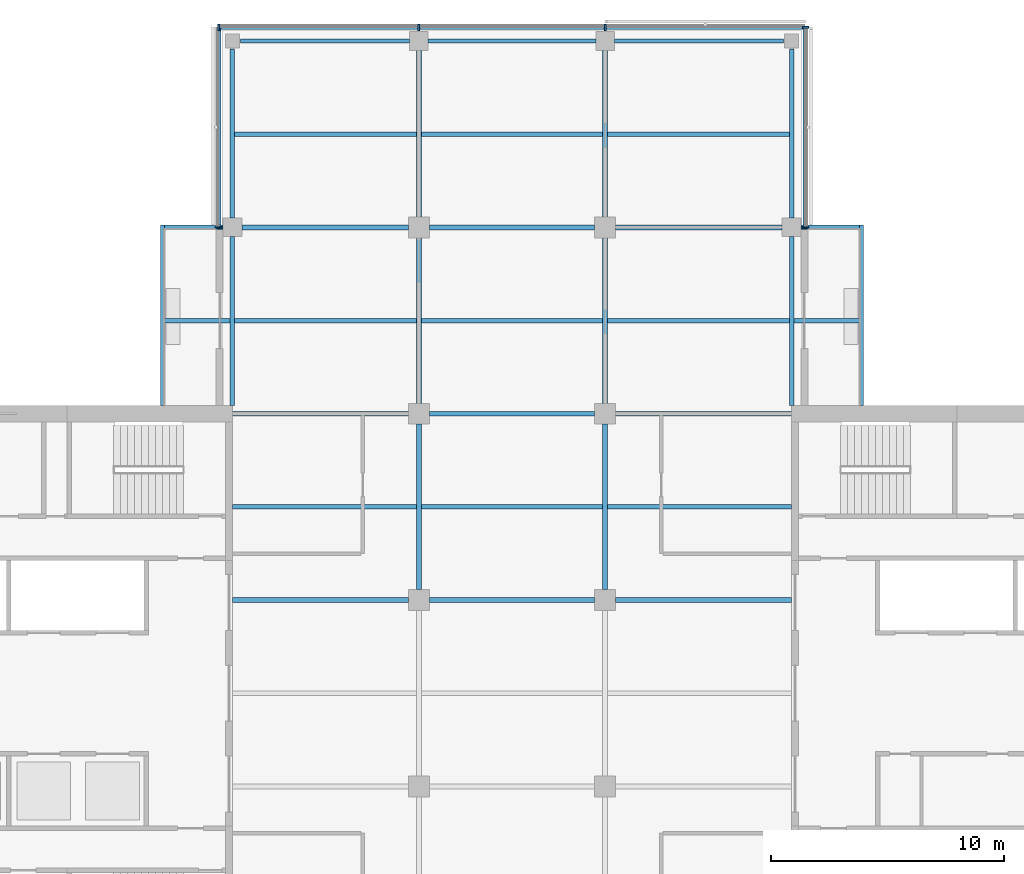
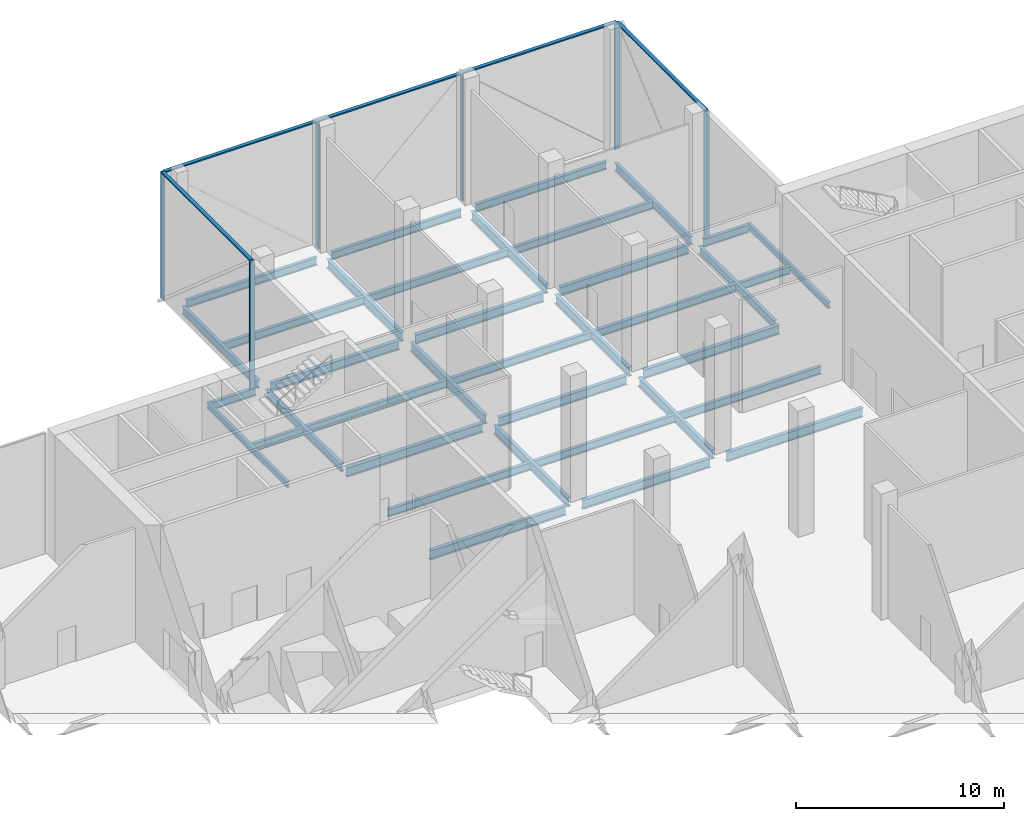
# One storey, part 6 of 20: 37 beams, 9 members, 3 elements without a shape of their own.
"""IFC4 building model written with IfcOpenShell, lengths in metres."""

from ifc_helpers import new_model, si_unit, direction, frame, origin, origin_2d, place, context, subcontext, project, spatial, rectangle, i_section, extrude, material, material_profile, profile_set, type_object, element, aggregate, save


model = new_model("IFC4")

# Units and contexts
model_context = context("Model", 3, precision=1e-05, world=origin(), true_north=direction((0.0, 1.0)))
body_context = subcontext(model_context, "Body", "Model", "MODEL_VIEW")
ifc_project = project(units=[si_unit("LENGTHUNIT", "METRE"), si_unit("AREAUNIT", "SQUARE_METRE"), si_unit("VOLUMEUNIT", "CUBIC_METRE"), si_unit("PLANEANGLEUNIT", "RADIAN"), si_unit("MASSUNIT", "GRAM", prefix="KILO")], contexts=[model_context])

# Site, building, storey
site_placement = place(None, origin())
site = spatial("IfcSite", under=ifc_project, at=site_placement, CompositionType="ELEMENT")
building_placement = place(site_placement, origin())
building = spatial("IfcBuilding", under=site, at=building_placement, Name="Crosswind Convention Tower", CompositionType="ELEMENT")
storey_placement = place(building_placement, frame((0.0, 0.0, 171.5)))
storey = spatial("IfcBuildingStorey", under=building, at=storey_placement, Name="L36", CompositionType="ELEMENT", Elevation=171.5)

# Beams
ifc_material_1 = material(Name="Steel S355", Category="steel")
ifc_material_profile_1 = material_profile(ifc_material_1, i_section(OverallWidth=0.18994140625, OverallDepth=0.45361328125, WebThickness=0.008544921875, FlangeThickness=0.0126953125, FilletRadius=0.01025390625, at=origin_2d()), Name="UB 457x191x67")
ifc_profile_set_1 = profile_set([ifc_material_profile_1], Name="Steel S355")
beam_type_1 = type_object("IfcBeamType", Name="Balcony cantilever UB 457x191x67", PredefinedType="BEAM", material=ifc_profile_set_1)
beam_1_placement = place(storey_placement, frame((137.095703125, 116.0, -0.626708984375), z_axis=(1.0, 0.0, 0.0), x_axis=(0.0, 1.0, 0.0)))
element("IfcBeam", 1, at=beam_1_placement, inside=storey, type_object=beam_type_1, Name="B36 L36 balcony cantilever NE 1", PredefinedType="BEAM", context=body_context, shape_type="SweptSolid", body=[
    extrude(i_section(OverallWidth=0.18994140625, OverallDepth=0.45361328125, WebThickness=0.008544921875, FlangeThickness=0.0126953125, FilletRadius=0.01025390625, at=origin_2d()), origin(), (0.0, 0.0, 1.0), 2.818603515625),
])
beam_2_placement = place(storey_placement, frame((137.39990234375, 120.0, -0.626708984375), z_axis=(1.0, 0.0, 0.0), x_axis=(0.0, 1.0, 0.0)))
element("IfcBeam", 2, at=beam_2_placement, inside=storey, type_object=beam_type_1, Name="B36 L36 balcony cantilever NE 2", PredefinedType="BEAM", context=body_context, shape_type="SweptSolid", body=[
    extrude(i_section(OverallWidth=0.18994140625, OverallDepth=0.45361328125, WebThickness=0.008544921875, FlangeThickness=0.0126953125, FilletRadius=0.01025390625, at=origin_2d()), origin(), (0.0, 0.0, 1.0), 2.514404296875),
])
beam_3_placement = place(storey_placement, frame((112.904296875, 116.0, -0.626708984375), z_axis=(-1.0, 0.0, 0.0), x_axis=(0.0, -1.0, 0.0)))
element("IfcBeam", 3, at=beam_3_placement, inside=storey, type_object=beam_type_1, Name="B36 L36 balcony cantilever NW 4", PredefinedType="BEAM", context=body_context, shape_type="SweptSolid", body=[
    extrude(i_section(OverallWidth=0.18994140625, OverallDepth=0.45361328125, WebThickness=0.008544921875, FlangeThickness=0.0126953125, FilletRadius=0.01025390625, at=origin_2d()), origin(), (0.0, 0.0, 1.0), 2.818603515625),
])
beam_4_placement = place(storey_placement, frame((112.60009765625, 120.0, -0.626708984375), z_axis=(-1.0, 0.0, 0.0), x_axis=(0.0, -1.0, 0.0)))
element("IfcBeam", 4, at=beam_4_placement, inside=storey, type_object=beam_type_1, Name="B36 L36 balcony cantilever NW 5", PredefinedType="BEAM", context=body_context, shape_type="SweptSolid", body=[
    extrude(i_section(OverallWidth=0.18994140625, OverallDepth=0.45361328125, WebThickness=0.008544921875, FlangeThickness=0.0126953125, FilletRadius=0.01025390625, at=origin_2d()), origin(), (0.0, 0.0, 1.0), 2.514404296875),
])
ifc_material_profile_2 = material_profile(ifc_material_1, i_section(OverallWidth=0.17138671875, OverallDepth=0.355712890625, WebThickness=0.00732421875, FlangeThickness=0.011474609375, FilletRadius=0.01025390625, at=origin_2d()), Name="UB 356x171x51")
ifc_profile_set_2 = profile_set([ifc_material_profile_2], Name="Steel S355")
beam_type_2 = type_object("IfcBeamType", Name="Balcony edge beam UB 356x171x51", PredefinedType="BEAM", material=ifc_profile_set_2)
for number, where, z_axis, x_axis, name in (
    (5, (140.0, 112.35009765625, -0.577880859375), (0.0, 1.0, 0.0), (-1.0, 0.0, 0.0), "B38 L36 balcony edge beam NE 3"),
    (6, (110.0, 112.35009765625, -0.577880859375), (0.0, 1.0, 0.0), (-1.0, 0.0, 0.0), "B38 L36 balcony edge beam NW 6"),
):
    element("IfcBeam", number, at=place(storey_placement, frame(where, z_axis=z_axis, x_axis=x_axis)), inside=storey, type_object=beam_type_2, Name=name, PredefinedType="BEAM", context=body_context, shape_type="SweptSolid", body=[
        extrude(i_section(OverallWidth=0.17138671875, OverallDepth=0.355712890625, WebThickness=0.00732421875, FlangeThickness=0.011474609375, FilletRadius=0.01025390625, at=origin_2d()), origin(), (0.0, 0.0, 1.0), 7.744873046875),
    ])
ifc_material_profile_3 = material_profile(ifc_material_1, i_section(OverallWidth=0.19140625, OverallDepth=0.460205078125, WebThickness=0.010009765625, FlangeThickness=0.01611328125, FilletRadius=0.01025390625, at=origin_2d()), Name="UB 457x191x82")
ifc_profile_set_3 = profile_set([ifc_material_profile_3], Name="Steel S355")
beam_type_3 = type_object("IfcBeamType", Name="Edge beam UB 457x191x82", PredefinedType="SPANDREL", material=ifc_profile_set_3)
for number, where, z_axis, x_axis, name in (
    (7, (113.0, 112.35009765625, -0.630126953125), (0.0, 1.0, 0.0), (-1.0, 0.0, 0.0), "B18 L36 edge beam 8"),
    (8, (113.0, 120.39990234375, -0.630126953125), (0.0, 1.0, 0.0), (-1.0, 0.0, 0.0), "B18 L36 edge beam 9"),
    (9, (113.35009765625, 128.0, -0.630126953125), (1.0, 0.0, 0.0), (0.0, 1.0, 0.0), "B18 L36 edge beam 11"),
):
    element("IfcBeam", number, at=place(storey_placement, frame(where, z_axis=z_axis, x_axis=x_axis)), inside=storey, type_object=beam_type_3, Name=name, PredefinedType="SPANDREL", context=body_context, shape_type="SweptSolid", body=[
        extrude(i_section(OverallWidth=0.19140625, OverallDepth=0.460205078125, WebThickness=0.010009765625, FlangeThickness=0.01611328125, FilletRadius=0.01025390625, at=origin_2d()), origin(), (0.0, 0.0, 1.0), 7.25),
    ])
beam_5_placement = place(storey_placement, frame((121.39990234375, 128.0, -0.630126953125), z_axis=(1.0, 0.0, 0.0), x_axis=(0.0, 1.0, 0.0)))
element("IfcBeam", 10, at=beam_5_placement, inside=storey, type_object=beam_type_3, Name="B18 L36 edge beam 13", PredefinedType="SPANDREL", context=body_context, shape_type="SweptSolid", body=[
    extrude(i_section(OverallWidth=0.19140625, OverallDepth=0.460205078125, WebThickness=0.010009765625, FlangeThickness=0.01611328125, FilletRadius=0.01025390625, at=origin_2d()), origin(), (0.0, 0.0, 1.0), 7.2001953125),
])
for number, where, z_axis, x_axis, name in (
    (11, (129.39990234375, 128.0, -0.630126953125), (1.0, 0.0, 0.0), (0.0, 1.0, 0.0), "B18 L36 edge beam 15"),
    (12, (137.0, 112.35009765625, -0.630126953125), (0.0, 1.0, 0.0), (-1.0, 0.0, 0.0), "B18 L36 edge beam 18"),
    (13, (137.0, 120.39990234375, -0.630126953125), (0.0, 1.0, 0.0), (-1.0, 0.0, 0.0), "B18 L36 edge beam 19"),
):
    element("IfcBeam", number, at=place(storey_placement, frame(where, z_axis=z_axis, x_axis=x_axis)), inside=storey, type_object=beam_type_3, Name=name, PredefinedType="SPANDREL", context=body_context, shape_type="SweptSolid", body=[
        extrude(i_section(OverallWidth=0.19140625, OverallDepth=0.460205078125, WebThickness=0.010009765625, FlangeThickness=0.01611328125, FilletRadius=0.01025390625, at=origin_2d()), origin(), (0.0, 0.0, 1.0), 7.25),
    ])
ifc_material_profile_4 = material_profile(ifc_material_1, i_section(OverallWidth=0.210205078125, OverallDepth=0.53662109375, WebThickness=0.010986328125, FlangeThickness=0.017333984375, FilletRadius=0.0126953125, at=origin_2d()), Name="UB 533x210x101")
ifc_profile_set_4 = profile_set([ifc_material_profile_4], Name="Steel S355")
beam_type_4 = type_object("IfcBeamType", Name="Girder UB 533x210x101", PredefinedType="BEAM", material=ifc_profile_set_4)
beam_6_placement = place(storey_placement, frame((113.39990234375, 120.0, -0.66845703125), z_axis=(1.0, 0.0, 0.0), x_axis=(0.0, 1.0, 0.0)))
element("IfcBeam", 14, at=beam_6_placement, inside=storey, type_object=beam_type_4, Name="B4 L36 girder 2", PredefinedType="BEAM", context=body_context, shape_type="SweptSolid", body=[
    extrude(i_section(OverallWidth=0.210205078125, OverallDepth=0.53662109375, WebThickness=0.010986328125, FlangeThickness=0.017333984375, FilletRadius=0.0126953125, at=origin_2d()), origin(), (0.0, 0.0, 1.0), 7.150146484375),
])
for number, where, z_axis, x_axis, name in (
    (15, (121.0, 104.449951171875, -0.66845703125), (0.0, 1.0, 0.0), (-1.0, 0.0, 0.0), "B4 L36 girder 7"),
    (16, (121.0, 112.449951171875, -0.66845703125), (0.0, 1.0, 0.0), (-1.0, 0.0, 0.0), "B4 L36 girder 8"),
):
    element("IfcBeam", number, at=place(storey_placement, frame(where, z_axis=z_axis, x_axis=x_axis)), inside=storey, type_object=beam_type_4, Name=name, PredefinedType="BEAM", context=body_context, shape_type="SweptSolid", body=[
        extrude(i_section(OverallWidth=0.210205078125, OverallDepth=0.53662109375, WebThickness=0.010986328125, FlangeThickness=0.017333984375, FilletRadius=0.0126953125, at=origin_2d()), origin(), (0.0, 0.0, 1.0), 7.10009765625),
    ])
beam_7_placement = place(storey_placement, frame((121.0, 120.449951171875, -0.66845703125), z_axis=(0.0, 1.0, 0.0), x_axis=(-1.0, 0.0, 0.0)))
element("IfcBeam", 17, at=beam_7_placement, inside=storey, type_object=beam_type_4, Name="B4 L36 girder 9", PredefinedType="BEAM", context=body_context, shape_type="SweptSolid", body=[
    extrude(i_section(OverallWidth=0.210205078125, OverallDepth=0.53662109375, WebThickness=0.010986328125, FlangeThickness=0.017333984375, FilletRadius=0.0126953125, at=origin_2d()), origin(), (0.0, 0.0, 1.0), 7.150146484375),
])
for number, where, z_axis, x_axis, name in (
    (18, (121.449951171875, 104.0, -0.66845703125), (1.0, 0.0, 0.0), (0.0, 1.0, 0.0), "B4 L36 girder 13"),
    (19, (121.449951171875, 112.0, -0.66845703125), (1.0, 0.0, 0.0), (0.0, 1.0, 0.0), "B4 L36 girder 14"),
    (20, (121.449951171875, 120.0, -0.66845703125), (1.0, 0.0, 0.0), (0.0, 1.0, 0.0), "B4 L36 girder 15"),
    (21, (129.0, 104.449951171875, -0.66845703125), (0.0, 1.0, 0.0), (-1.0, 0.0, 0.0), "B4 L36 girder 20"),
    (22, (129.0, 112.449951171875, -0.66845703125), (0.0, 1.0, 0.0), (-1.0, 0.0, 0.0), "B4 L36 girder 21"),
):
    element("IfcBeam", number, at=place(storey_placement, frame(where, z_axis=z_axis, x_axis=x_axis)), inside=storey, type_object=beam_type_4, Name=name, PredefinedType="BEAM", context=body_context, shape_type="SweptSolid", body=[
        extrude(i_section(OverallWidth=0.210205078125, OverallDepth=0.53662109375, WebThickness=0.010986328125, FlangeThickness=0.017333984375, FilletRadius=0.0126953125, at=origin_2d()), origin(), (0.0, 0.0, 1.0), 7.10009765625),
    ])
for number, where, z_axis, x_axis, name in (
    (23, (129.0, 120.449951171875, -0.66845703125), (0.0, 1.0, 0.0), (-1.0, 0.0, 0.0), "B4 L36 girder 22"),
    (24, (129.449951171875, 120.0, -0.66845703125), (1.0, 0.0, 0.0), (0.0, 1.0, 0.0), "B4 L36 girder 24"),
):
    element("IfcBeam", number, at=place(storey_placement, frame(where, z_axis=z_axis, x_axis=x_axis)), inside=storey, type_object=beam_type_4, Name=name, PredefinedType="BEAM", context=body_context, shape_type="SweptSolid", body=[
        extrude(i_section(OverallWidth=0.210205078125, OverallDepth=0.53662109375, WebThickness=0.010986328125, FlangeThickness=0.017333984375, FilletRadius=0.0126953125, at=origin_2d()), origin(), (0.0, 0.0, 1.0), 7.150146484375),
    ])
ifc_material_profile_5 = material_profile(ifc_material_1, i_section(OverallWidth=0.210693359375, OverallDepth=0.53955078125, WebThickness=0.01171875, FlangeThickness=0.018798828125, FilletRadius=0.0126953125, at=origin_2d()), Name="UB 533x210x109")
ifc_profile_set_5 = profile_set([ifc_material_profile_5], Name="Steel S355")
beam_type_5 = type_object("IfcBeamType", Name="Girder at core wall UB 533x210x109", PredefinedType="BEAM", material=ifc_profile_set_5)
for number, where, z_axis, x_axis, name in (
    (25, (113.0, 104.0, -0.669677734375), (1.0, 0.0, 0.0), (0.0, 1.0, 0.0), "B25 L36 girder at core wall 5"),
    (26, (113.0, 112.0, -0.669677734375), (1.0, 0.0, 0.0), (0.0, 1.0, 0.0), "B25 L36 girder at core wall 6"),
    (27, (129.449951171875, 104.0, -0.669677734375), (1.0, 0.0, 0.0), (0.0, 1.0, 0.0), "B25 L36 girder at core wall 9"),
    (28, (129.449951171875, 112.0, -0.669677734375), (1.0, 0.0, 0.0), (0.0, 1.0, 0.0), "B25 L36 girder at core wall 10"),
):
    element("IfcBeam", number, at=place(storey_placement, frame(where, z_axis=z_axis, x_axis=x_axis)), inside=storey, type_object=beam_type_5, Name=name, PredefinedType="BEAM", context=body_context, shape_type="SweptSolid", body=[
        extrude(i_section(OverallWidth=0.210693359375, OverallDepth=0.53955078125, WebThickness=0.01171875, FlangeThickness=0.018798828125, FilletRadius=0.0126953125, at=origin_2d()), origin(), (0.0, 0.0, 1.0), 7.550048828125),
    ])

# Curtain wall, members
ifc_material_2 = material(Name="Aluminium unitised curtain wall", Category="aluminium")
curtain_wall_type = type_object("IfcCurtainWallType", Name="SKY LOBBY AND LOUNGE WALL 280", PredefinedType="USERDEFINED", material=ifc_material_2)
curtain_wall_1_placement = place(storey_placement, origin())
curtain_wall_1 = element("IfcCurtainWall", 29, at=curtain_wall_1_placement, inside=storey, type_object=curtain_wall_type, Name="CW4 L36 N-E 1", ObjectType="UNITISED", PredefinedType="USERDEFINED")
ifc_material_3 = material(Name="Aluminium mullion", Category="aluminium")
ifc_material_profile_6 = material_profile(ifc_material_3, rectangle(XDim=0.280029296875, YDim=0.074951171875, at=origin_2d()), Name="AL 280X75")
ifc_profile_set_6 = profile_set([ifc_material_profile_6], Name="Aluminium mullion")
member_type_1 = type_object("IfcMemberType", Name="MULLION 75X280", PredefinedType="MULLION", material=ifc_profile_set_6)
member_1_placement = place(storey_placement, frame((137.590087890625, 120.0, -0.39990234375), z_axis=(0.0, 0.0, 1.0), x_axis=(1.0, 0.0, 0.0)))
member_1 = element("IfcMember", 30, at=member_1_placement, type_object=member_type_1, Name="CW4 mullion 1", PredefinedType="MULLION", context=body_context, shape_type="SweptSolid", body=[
    extrude(rectangle(XDim=0.280029296875, YDim=0.074951171875, at=origin_2d()), origin(), (0.0, 0.0, 1.0), 7.4248046875),
])
member_2_placement = place(storey_placement, frame((137.590087890625, 128.590087890625, -0.39990234375), z_axis=(0.0, 0.0, 1.0), x_axis=(1.0, 0.0, 0.0)))
member_2 = element("IfcMember", 31, at=member_2_placement, type_object=member_type_1, Name="CW4 mullion 2", PredefinedType="MULLION", context=body_context, shape_type="SweptSolid", body=[
    extrude(rectangle(XDim=0.280029296875, YDim=0.074951171875, at=origin_2d()), origin(), (0.0, 0.0, 1.0), 7.4248046875),
])

curtain_wall_2_placement = place(storey_placement, origin())
curtain_wall_2 = element("IfcCurtainWall", 32, at=curtain_wall_2_placement, inside=storey, type_object=curtain_wall_type, Name="CW4 L36 N-TIP 1", ObjectType="UNITISED", PredefinedType="USERDEFINED")
member_3_placement = place(storey_placement, frame((129.0, 128.590087890625, -0.39990234375), z_axis=(0.0, 0.0, 1.0), x_axis=(0.0, 1.0, 0.0)))
member_3 = element("IfcMember", 33, at=member_3_placement, type_object=member_type_1, Name="CW4 mullion 2", PredefinedType="MULLION", context=body_context, shape_type="SweptSolid", body=[
    extrude(rectangle(XDim=0.280029296875, YDim=0.074951171875, at=origin_2d()), origin(), (0.0, 0.0, 1.0), 7.4248046875),
])
member_4_placement = place(storey_placement, frame((121.0, 128.590087890625, -0.39990234375), z_axis=(0.0, 0.0, 1.0), x_axis=(0.0, 1.0, 0.0)))
member_4 = element("IfcMember", 34, at=member_4_placement, type_object=member_type_1, Name="CW4 mullion 3", PredefinedType="MULLION", context=body_context, shape_type="SweptSolid", body=[
    extrude(rectangle(XDim=0.280029296875, YDim=0.074951171875, at=origin_2d()), origin(), (0.0, 0.0, 1.0), 7.4248046875),
])
member_5_placement = place(storey_placement, frame((112.409912109375, 128.590087890625, -0.39990234375), z_axis=(0.0, 0.0, 1.0), x_axis=(0.0, 1.0, 0.0)))
member_5 = element("IfcMember", 35, at=member_5_placement, type_object=member_type_1, Name="CW4 mullion 4", PredefinedType="MULLION", context=body_context, shape_type="SweptSolid", body=[
    extrude(rectangle(XDim=0.280029296875, YDim=0.074951171875, at=origin_2d()), origin(), (0.0, 0.0, 1.0), 7.4248046875),
])

# Curtain wall, member
curtain_wall_3_placement = place(storey_placement, origin())
curtain_wall_3 = element("IfcCurtainWall", 36, at=curtain_wall_3_placement, inside=storey, type_object=curtain_wall_type, Name="CW4 L36 N-W 1", ObjectType="UNITISED", PredefinedType="USERDEFINED")
member_6_placement = place(storey_placement, frame((112.409912109375, 120.0, -0.39990234375), z_axis=(0.0, 0.0, 1.0), x_axis=(-1.0, 0.0, 0.0)))
member_6 = element("IfcMember", 37, at=member_6_placement, type_object=member_type_1, Name="CW4 mullion 2", PredefinedType="MULLION", context=body_context, shape_type="SweptSolid", body=[
    extrude(rectangle(XDim=0.280029296875, YDim=0.074951171875, at=origin_2d()), origin(), (0.0, 0.0, 1.0), 7.4248046875),
])

# Beams
ifc_material_profile_7 = material_profile(ifc_material_1, i_section(OverallWidth=0.18994140625, OverallDepth=0.45361328125, WebThickness=0.008544921875, FlangeThickness=0.0126953125, FilletRadius=0.01025390625, at=origin_2d()), Name="UB 457x191x67")
ifc_profile_set_7 = profile_set([ifc_material_profile_7], Name="Steel S355")
beam_type_6 = type_object("IfcBeamType", Name="Secondary beam UB 457x191x67", PredefinedType="JOIST", material=ifc_profile_set_7)
beam_8_placement = place(storey_placement, frame((113.0, 108.0, -0.626708984375), z_axis=(1.0, 0.0, 0.0), x_axis=(0.0, 1.0, 0.0)))
element("IfcBeam", 38, at=beam_8_placement, inside=storey, type_object=beam_type_6, Name="B11 L36 secondary beam 6", PredefinedType="JOIST", context=body_context, shape_type="SweptSolid", body=[
    extrude(i_section(OverallWidth=0.18994140625, OverallDepth=0.45361328125, WebThickness=0.008544921875, FlangeThickness=0.0126953125, FilletRadius=0.01025390625, at=origin_2d()), origin(), (0.0, 0.0, 1.0), 7.89501953125),
])
for number, where, z_axis, x_axis, name in (
    (39, (113.095703125, 116.0, -0.626708984375), (1.0, 0.0, 0.0), (0.0, 1.0, 0.0), "B11 L36 secondary beam 9"),
    (40, (113.095703125, 124.0, -0.626708984375), (1.0, 0.0, 0.0), (0.0, 1.0, 0.0), "B11 L36 secondary beam 10"),
):
    element("IfcBeam", number, at=place(storey_placement, frame(where, z_axis=z_axis, x_axis=x_axis)), inside=storey, type_object=beam_type_6, Name=name, PredefinedType="JOIST", context=body_context, shape_type="SweptSolid", body=[
        extrude(i_section(OverallWidth=0.18994140625, OverallDepth=0.45361328125, WebThickness=0.008544921875, FlangeThickness=0.0126953125, FilletRadius=0.01025390625, at=origin_2d()), origin(), (0.0, 0.0, 1.0), 7.79931640625),
    ])
for number, where, z_axis, x_axis, name in (
    (41, (121.10498046875, 108.0, -0.626708984375), (1.0, 0.0, 0.0), (0.0, 1.0, 0.0), "B11 L36 secondary beam 15"),
    (42, (121.10498046875, 116.0, -0.626708984375), (1.0, 0.0, 0.0), (0.0, 1.0, 0.0), "B11 L36 secondary beam 16"),
    (43, (121.10498046875, 124.0, -0.626708984375), (1.0, 0.0, 0.0), (0.0, 1.0, 0.0), "B11 L36 secondary beam 17"),
):
    element("IfcBeam", number, at=place(storey_placement, frame(where, z_axis=z_axis, x_axis=x_axis)), inside=storey, type_object=beam_type_6, Name=name, PredefinedType="JOIST", context=body_context, shape_type="SweptSolid", body=[
        extrude(i_section(OverallWidth=0.18994140625, OverallDepth=0.45361328125, WebThickness=0.008544921875, FlangeThickness=0.0126953125, FilletRadius=0.01025390625, at=origin_2d()), origin(), (0.0, 0.0, 1.0), 7.7900390625),
    ])
beam_9_placement = place(storey_placement, frame((129.10498046875, 108.0, -0.626708984375), z_axis=(1.0, 0.0, 0.0), x_axis=(0.0, 1.0, 0.0)))
element("IfcBeam", 44, at=beam_9_placement, inside=storey, type_object=beam_type_6, Name="B11 L36 secondary beam 22", PredefinedType="JOIST", context=body_context, shape_type="SweptSolid", body=[
    extrude(i_section(OverallWidth=0.18994140625, OverallDepth=0.45361328125, WebThickness=0.008544921875, FlangeThickness=0.0126953125, FilletRadius=0.01025390625, at=origin_2d()), origin(), (0.0, 0.0, 1.0), 7.89501953125),
])
for number, where, z_axis, x_axis, name in (
    (45, (129.10498046875, 116.0, -0.626708984375), (1.0, 0.0, 0.0), (0.0, 1.0, 0.0), "B11 L36 secondary beam 23"),
    (46, (129.10498046875, 124.0, -0.626708984375), (1.0, 0.0, 0.0), (0.0, 1.0, 0.0), "B11 L36 secondary beam 24"),
):
    element("IfcBeam", number, at=place(storey_placement, frame(where, z_axis=z_axis, x_axis=x_axis)), inside=storey, type_object=beam_type_6, Name=name, PredefinedType="JOIST", context=body_context, shape_type="SweptSolid", body=[
        extrude(i_section(OverallWidth=0.18994140625, OverallDepth=0.45361328125, WebThickness=0.008544921875, FlangeThickness=0.0126953125, FilletRadius=0.01025390625, at=origin_2d()), origin(), (0.0, 0.0, 1.0), 7.79931640625),
    ])

# Member
ifc_material_4 = material(Name="Aluminium transom", Category="aluminium")
ifc_material_profile_8 = material_profile(ifc_material_4, rectangle(XDim=0.199951171875, YDim=0.074951171875, at=origin_2d()), Name="AL 200X75")
ifc_profile_set_8 = profile_set([ifc_material_profile_8], Name="Aluminium transom")
member_type_2 = type_object("IfcMemberType", Name="TRANSOM 75X200", PredefinedType="USERDEFINED", material=ifc_profile_set_8)
member_7_placement = place(storey_placement, frame((137.590087890625, 120.03759765625, 7.0625), z_axis=(0.0, 1.0, 0.0), x_axis=(-1.0, 0.0, 0.0)))
member_7 = element("IfcMember", 47, at=member_7_placement, type_object=member_type_2, Name="CW4 transom", ObjectType="TRANSOM", PredefinedType="USERDEFINED", context=body_context, shape_type="SweptSolid", body=[
    extrude(rectangle(XDim=0.199951171875, YDim=0.074951171875, at=origin_2d()), origin(), (0.0, 0.0, 1.0), 8.514892578125),
])

aggregate(curtain_wall_1, [member_1, member_2, member_7])

member_8_placement = place(storey_placement, frame((137.552490234375, 128.590087890625, 7.0625), z_axis=(-1.0, 0.0, 0.0), x_axis=(0.0, -1.0, 0.0)))
member_8 = element("IfcMember", 48, at=member_8_placement, type_object=member_type_2, Name="CW4 transom", ObjectType="TRANSOM", PredefinedType="USERDEFINED", context=body_context, shape_type="SweptSolid", body=[
    extrude(rectangle(XDim=0.199951171875, YDim=0.074951171875, at=origin_2d()), origin(), (0.0, 0.0, 1.0), 25.10498046875),
])

aggregate(curtain_wall_2, [member_3, member_4, member_5, member_8])

member_9_placement = place(storey_placement, frame((112.409912109375, 128.552490234375, 7.0625), z_axis=(0.0, -1.0, 0.0), x_axis=(1.0, 0.0, 0.0)))
member_9 = element("IfcMember", 49, at=member_9_placement, type_object=member_type_2, Name="CW4 transom", ObjectType="TRANSOM", PredefinedType="USERDEFINED", context=body_context, shape_type="SweptSolid", body=[
    extrude(rectangle(XDim=0.199951171875, YDim=0.074951171875, at=origin_2d()), origin(), (0.0, 0.0, 1.0), 8.514892578125),
])

aggregate(curtain_wall_3, [member_6, member_9])

save(model, "model.ifc")
